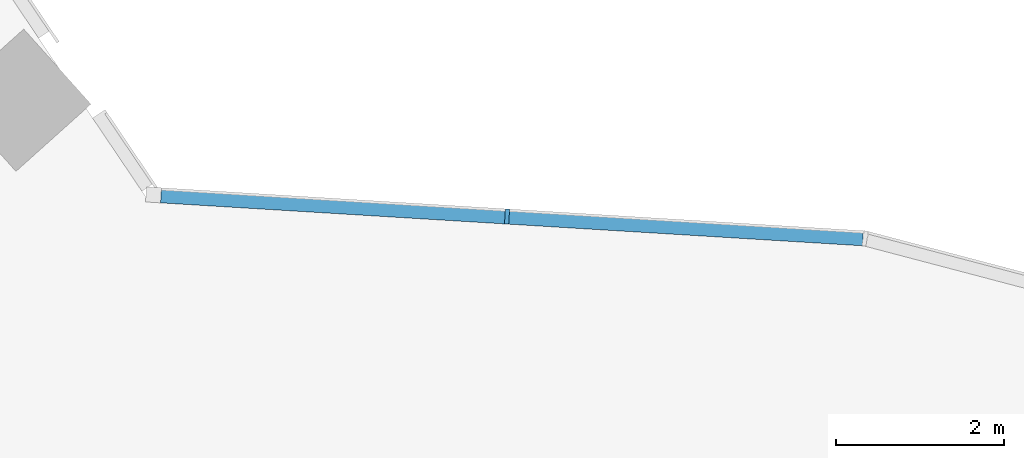
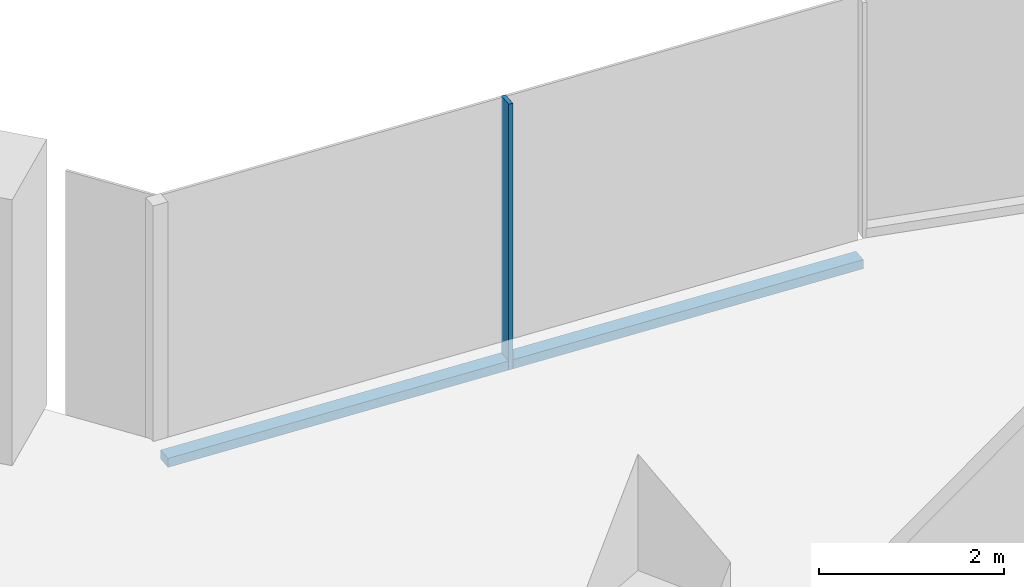
# One storey, part 11 of 26: 2 members, 1 element without a shape of its own.
"""IFC4 building model written with IfcOpenShell, lengths in metres."""

from ifc_helpers import new_model, si_unit, direction, frame, origin, origin_2d, place, context, subcontext, project, spatial, rectangle, extrude, material, material_profile, profile_set, type_object, element, aggregate, save


model = new_model("IFC4")

# Units and contexts
model_context = context("Model", 3, precision=1e-05, world=origin(), true_north=direction((0.0, 1.0)))
body_context = subcontext(model_context, "Body", "Model", "MODEL_VIEW")
ifc_project = project(units=[si_unit("LENGTHUNIT", "METRE"), si_unit("AREAUNIT", "SQUARE_METRE"), si_unit("VOLUMEUNIT", "CUBIC_METRE"), si_unit("PLANEANGLEUNIT", "RADIAN"), si_unit("MASSUNIT", "GRAM", prefix="KILO")], contexts=[model_context])

# Site, building, storey
site_placement = place(None, origin())
site = spatial("IfcSite", under=ifc_project, at=site_placement, CompositionType="ELEMENT")
building_placement = place(site_placement, origin())
building = spatial("IfcBuilding", under=site, at=building_placement, Name="Orlundy Tower", CompositionType="ELEMENT")
storey_placement = place(building_placement, frame((0.0, 0.0, 156.10009765625)))
storey = spatial("IfcBuildingStorey", under=building, at=storey_placement, Name="L40", CompositionType="ELEMENT", Elevation=156.10009765625)

# Curtain wall, members
ifc_material_1 = material(Name="Aluminium bronze anodised", Category="aluminium")
curtain_wall_type = type_object("IfcCurtainWallType", Name="CW1 wall", PredefinedType="NOTDEFINED", material=ifc_material_1)
curtain_wall_placement = place(storey_placement, origin())
curtain_wall = element("IfcCurtainWall", 1, at=curtain_wall_placement, inside=storey, type_object=curtain_wall_type, Name="CW1 run 06", PredefinedType="NOTDEFINED")
ifc_material_2 = material(Name="Aluminium bronze anodised", Category="aluminium")
ifc_material_profile_1 = material_profile(ifc_material_2, rectangle(XDim=0.179931640625, YDim=0.050048828125, at=origin_2d()), Name="CW1 mullion 50x180")
ifc_profile_set_1 = profile_set([ifc_material_profile_1], Name="Aluminium bronze anodised")
member_type_1 = type_object("IfcMemberType", Name="CW1 mullion 50x180", PredefinedType="MULLION", material=ifc_profile_set_1)
member_1_placement = place(storey_placement, frame((27.910400390625, 18.42041015625, -0.400146484375), z_axis=(0.0, 0.0, 1.0), x_axis=(0.061064785376, 0.998133804651, 0.0)))
member_1 = element("IfcMember", 2, at=member_1_placement, type_object=member_type_1, Name="CW1 mullion 27", PredefinedType="MULLION", context=body_context, shape_type="SweptSolid", body=[
    extrude(rectangle(XDim=0.179931640625, YDim=0.050048828125, at=origin_2d()), origin(), (0.0, 0.0, 1.0), 3.5),
])
ifc_material_3 = material(Name="Aluminium bronze anodised", Category="aluminium")
ifc_material_profile_2 = material_profile(ifc_material_3, rectangle(XDim=0.179931640625, YDim=0.1201171875, at=origin_2d()), Name="CW1 transom 180x120")
ifc_profile_set_2 = profile_set([ifc_material_profile_2], Name="Aluminium bronze anodised")
member_type_2 = type_object("IfcMemberType", Name="CW1 transom 180x120", PredefinedType="USERDEFINED", material=ifc_profile_set_2)
member_2_placement = place(storey_placement, frame((23.78662109375, 18.672607421875, -0.340087890625), z_axis=(0.998134440469, -0.061054391736, 0.0), x_axis=(0.061054391736, 0.998134440469, 0.0)))
member_2 = element("IfcMember", 3, at=member_2_placement, type_object=member_type_2, Name="CW1 transom", ObjectType="TRANSOM", PredefinedType="USERDEFINED", context=body_context, shape_type="SweptSolid", body=[
    extrude(rectangle(XDim=0.179931640625, YDim=0.1201171875, at=origin_2d()), origin(), (0.0, 0.0, 1.0), 8.38134765625),
])
aggregate(curtain_wall, [member_1, member_2])

save(model, "model.ifc")
